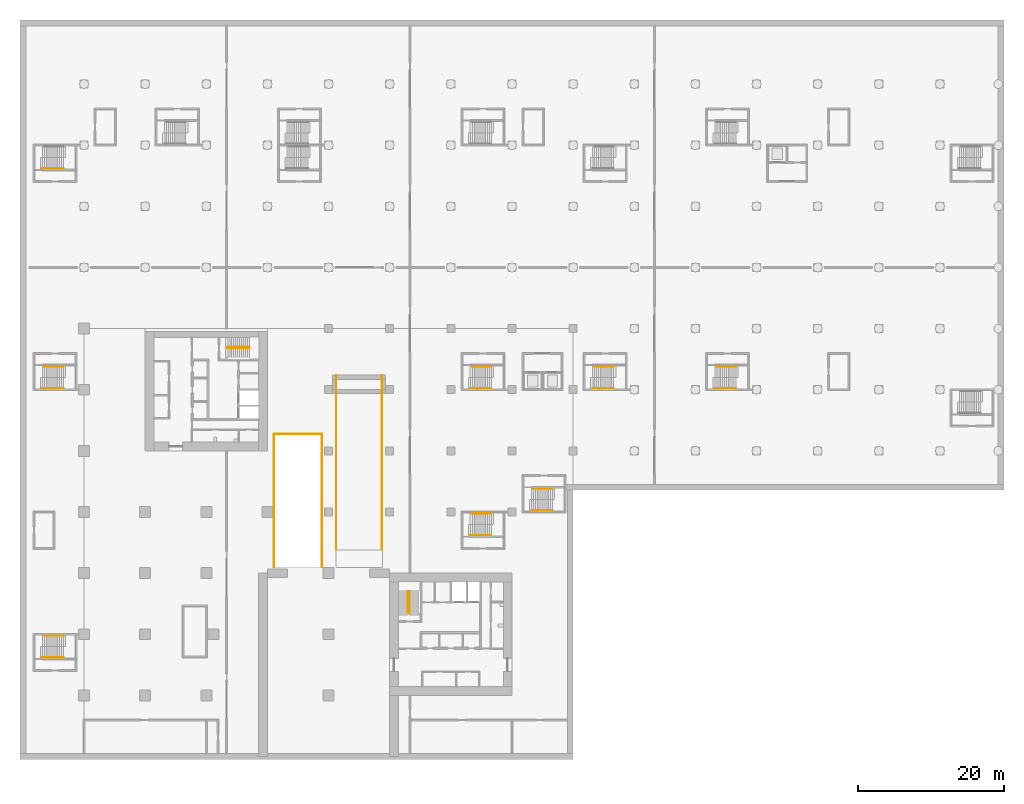
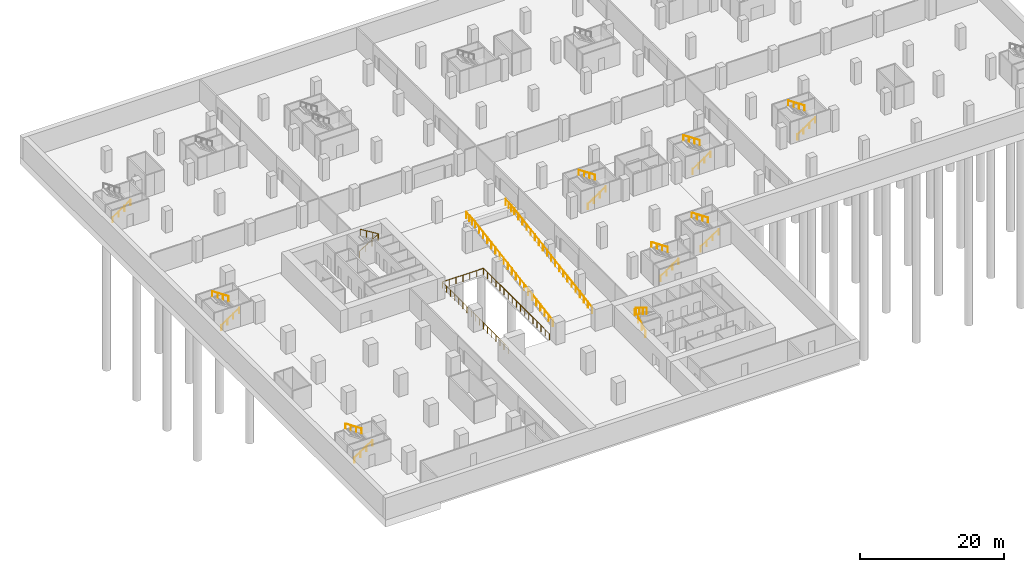
# One storey, part 16 of 19: 22 railings.
"""IFC4 building model written with IfcOpenShell, lengths in metres."""

import ifcopenshell
import ifcopenshell.guid

model = None  # the IFC model being written
_history = None  # IfcOwnerHistory: only IFC2X3 demands one
_inside = {}  # id of a spatial element -> (the spatial element, [elements in it])
_under = {}  # id of a project, library or spatial element -> (it, [spatial elements below it])
_declared = {}  # id of a project -> (the project, [libraries it declares])
_typed = {}  # id of a type object -> (the type object, [elements of that type])
_made_of = {}  # id of a material, layer set ... -> (it, [elements and type objects made of it])


def new_model(schema):
    """Start an empty IFC model of exactly this schema.

    Asked for "IFC4X3", IfcOpenShell would pick the latest addendum, in which some entities
    have other attributes; the version numbers below select the first issue.
    IFC2X3 requires an IfcOwnerHistory on every rooted entity: one is made here for all.
    """
    global model, _history
    if schema == "IFC4X3":
        model = ifcopenshell.file(schema_version=(4, 3, 0, 0))
    else:
        model = ifcopenshell.file(schema=schema)
    _inside.clear()
    _under.clear()
    _declared.clear()
    _typed.clear()
    _made_of.clear()
    _history = None
    if model.schema == "IFC2X3":
        org = make("IfcOrganization", Name="unknown")
        user = make(
            "IfcPersonAndOrganization",
            ThePerson=make("IfcPerson", FamilyName="unknown"),
            TheOrganization=org,
        )
        app = make(
            "IfcApplication",
            ApplicationDeveloper=org,
            Version="unknown",
            ApplicationFullName="unknown",
            ApplicationIdentifier="unknown",
        )
        _history = make(
            "IfcOwnerHistory",
            OwningUser=user,
            OwningApplication=app,
            ChangeAction="ADDED",
            CreationDate=0,
        )
    return model


def make(cls, **values):
    """One entity of the class cls with the attributes given. An attribute that is None is left unset."""
    return model.create_entity(
        cls, **{name: value for name, value in values.items() if value is not None}
    )


def rooted(cls, **values):
    """An entity with a GlobalId (a new one), such as an element, a storey or a relation."""
    return make(cls, GlobalId=ifcopenshell.guid.new(), OwnerHistory=_history, **values)


def si_unit(unit_type, name, prefix=None):
    """IfcSIUnit, for example si_unit("LENGTHUNIT", "METRE", prefix="MILLI")."""
    return make("IfcSIUnit", UnitType=unit_type, Prefix=prefix, Name=name)


def assignment(units):
    """IfcUnitAssignment: the units of a project."""
    return None if units is None else make("IfcUnitAssignment", Units=units)


def point(xyz):
    """IfcCartesianPoint."""
    return None if xyz is None else make("IfcCartesianPoint", Coordinates=xyz)


def direction(xyz):
    """IfcDirection."""
    return None if xyz is None else make("IfcDirection", DirectionRatios=xyz)


def frame(location, z_axis=None, x_axis=None):
    """IfcAxis2Placement3D, a coordinate frame: its origin and axes. An axis left out is left unset."""
    return make(
        "IfcAxis2Placement3D",
        Location=point(location),
        Axis=direction(z_axis),
        RefDirection=direction(x_axis),
    )


def frame_2d(location, x_axis=None):
    """IfcAxis2Placement2D, a coordinate frame in the plane: its origin and x axis."""
    return make(
        "IfcAxis2Placement2D", Location=point(location), RefDirection=direction(x_axis)
    )


def origin():
    """The frame at (0, 0, 0) with its axes left unset."""
    return frame((0.0, 0.0, 0.0))


def origin_2d():
    """The frame at (0, 0) in the plane with its x axis left unset."""
    return frame_2d((0.0, 0.0))


def place(relative_to, where):
    """IfcLocalPlacement: puts the frame where relative to a parent placement (None: the world)."""
    return make(
        "IfcLocalPlacement", PlacementRelTo=relative_to, RelativePlacement=where
    )


def context(
    kind, dimensions, precision=None, world=None, true_north=None, identifier=None
):
    """IfcGeometricRepresentationContext, for example the 3D "Model" context."""
    return make(
        "IfcGeometricRepresentationContext",
        ContextIdentifier=identifier,
        ContextType=kind,
        CoordinateSpaceDimension=dimensions,
        Precision=precision,
        WorldCoordinateSystem=world,
        TrueNorth=true_north,
    )


def subcontext(parent, identifier, kind, view, scale=None):
    """IfcGeometricRepresentationSubContext, for example "Body" below "Model"."""
    return make(
        "IfcGeometricRepresentationSubContext",
        ContextIdentifier=identifier,
        ContextType=kind,
        ParentContext=parent,
        TargetScale=scale,
        TargetView=view,
    )


def project(units=None, contexts=None):
    """IfcProject with its units and contexts."""
    return rooted(
        "IfcProject",
        Name="project",
        RepresentationContexts=contexts,
        UnitsInContext=assignment(units),
    )


def spatial(cls, under=None, at=None, **own):
    """A site, building, storey or space (cls), placed at a placement, below another one or the project."""
    s = rooted(cls, ObjectPlacement=at, **own)
    if under is not None:
        _under.setdefault(under.id(), (under, []))[1].append(s)
    return s


def profile(cls, at=None, kind="AREA", **sizes):
    """A parametric profile (cls). Its sizes go by their IFC names, for example OverallWidth=200.0."""
    return make(cls, ProfileType=kind, Position=at, **sizes)


def circle(**sizes):
    """IfcCircleProfileDef."""
    return profile("IfcCircleProfileDef", **sizes)


def extrude(swept, where, along, depth):
    """IfcExtrudedAreaSolid: the profile swept, set in the frame where, extruded along a direction by depth."""
    return make(
        "IfcExtrudedAreaSolid",
        SweptArea=swept,
        Position=where,
        ExtrudedDirection=direction(along),
        Depth=depth,
    )


def shape(context_of_items, identifier, shape_type, items):
    """IfcShapeRepresentation: the items that make up one representation, for example the "Body"."""
    return make(
        "IfcShapeRepresentation",
        ContextOfItems=context_of_items,
        RepresentationIdentifier=identifier,
        RepresentationType=shape_type,
        Items=items,
    )


def material(Name=None, Category=None):
    """IfcMaterial."""
    return make("IfcMaterial", Name=Name, Category=Category)


def made_of(thing, what):
    """Note that an element or type object is made of a material, layer set ...; save() writes the relation."""
    if what is not None:
        _made_of.setdefault(what.id(), (what, []))[1].append(thing)
    return thing


def type_object(cls, material=None, **own):
    """A type object (cls), such as IfcWallType, which elements share."""
    return made_of(rooted(cls, **own), material)


def element(
    cls,
    number,
    at=None,
    inside=None,
    cuts=None,
    type_object=None,
    material=None,
    context=None,
    identifier="Body",
    shape_type=None,
    held_by="IfcProductDefinitionShape",
    body=None,
    shapes=None,
    **own,
):
    """One element of the class cls, such as IfcWall. Its Tag is "e" and its number.

    at: its placement. inside: the storey or other place that contains it. cuts: it is an
    opening in that element (IfcRelVoidsElement). A single representation is given by context,
    identifier, shape_type and body (its items); several are given by shapes. held_by: the class
    of the entity that holds the representations. save() writes the other relations.
    """
    e = rooted(cls, Tag="e%d" % number, ObjectPlacement=at, **own)
    if body is not None:
        shapes = [shape(context, identifier, shape_type, body)]
    if shapes is not None:
        e.Representation = make(held_by, Representations=shapes)
    if inside is not None:
        _inside.setdefault(inside.id(), (inside, []))[1].append(e)
    if cuts is not None:
        rooted(
            "IfcRelVoidsElement", RelatingBuildingElement=cuts, RelatedOpeningElement=e
        )
    if type_object is not None:
        _typed.setdefault(type_object.id(), (type_object, []))[1].append(e)
    return made_of(e, material)


def aggregate(whole, parts):
    """IfcRelAggregates: a whole, such as a stair, and the parts it consists of."""
    return rooted("IfcRelAggregates", RelatingObject=whole, RelatedObjects=parts)


def save(model, path):
    """Write the relations noted so far, then the file.

    IfcRelAggregates (storeys below a building ...), IfcRelContainedInSpatialStructure (elements
    in a storey), IfcRelDefinesByType, IfcRelAssociatesMaterial and IfcRelDeclares: one each for
    every whole, place, type object, material and project.
    """
    for whole, parts in _under.values():
        aggregate(whole, parts)
    for where, things in _inside.values():
        rooted(
            "IfcRelContainedInSpatialStructure",
            RelatedElements=things,
            RelatingStructure=where,
        )
    for kind, things in _typed.values():
        rooted("IfcRelDefinesByType", RelatedObjects=things, RelatingType=kind)
    for what, things in _made_of.values():
        rooted("IfcRelAssociatesMaterial", RelatedObjects=things, RelatingMaterial=what)
    for by, libraries in _declared.values():
        rooted("IfcRelDeclares", RelatingContext=by, RelatedDefinitions=libraries)
    model.write(path)


model = new_model("IFC4")

# Units and contexts
model_context = context("Model", 3, precision=1e-05, world=origin(), true_north=direction((0.0, 1.0)))
body_context = subcontext(model_context, "Body", "Model", "MODEL_VIEW")
ifc_project = project(units=[si_unit("LENGTHUNIT", "METRE"), si_unit("AREAUNIT", "SQUARE_METRE"), si_unit("VOLUMEUNIT", "CUBIC_METRE"), si_unit("PLANEANGLEUNIT", "RADIAN"), si_unit("MASSUNIT", "GRAM", prefix="KILO")], contexts=[model_context])

# Site, building, storey
site_placement = place(None, origin())
site = spatial("IfcSite", under=ifc_project, at=site_placement, CompositionType="ELEMENT")
building_placement = place(site_placement, origin())
building = spatial("IfcBuilding", under=site, at=building_placement, Name="Vermilion Gate Residences", CompositionType="ELEMENT")
storey_placement = place(building_placement, frame((0.0, 0.0, -8.0)))
storey = spatial("IfcBuildingStorey", under=building, at=storey_placement, Name="B2", CompositionType="ELEMENT", Elevation=-8.0)

# Railings
ifc_material_1 = material(Name="Steel", Category="steel")
railing_type_1 = type_object("IfcRailingType", Name="RAMP GUARD 1100 (AMENITY)", PredefinedType="GUARDRAIL", material=ifc_material_1)
for number, where, name in (
    (1, (34.64990234375, 52.39990234375, 4.0), "Ramp 2 guard west"),
    (2, (40.949951171875, 52.39990234375, 4.0), "Ramp 2 guard east"),
):
    element("IfcRailing", number, at=place(storey_placement, frame(where)), inside=storey, type_object=railing_type_1, Name=name, PredefinedType="GUARDRAIL", context=body_context, shape_type="SweptSolid", body=[
        extrude(circle(Radius=0.02392578125, at=origin_2d()), frame((0.0, 0.0, 1.076171875), z_axis=(0.0, -0.996547156423, -0.083028700011), x_axis=(1.0, 0.0, 0.0)), (0.0, 0.0, 1.0), 2.408203125),
        extrude(circle(Radius=0.02099609375, at=origin_2d()), origin(), (0.0, 0.0, 1.0), 1.052001953125),
        extrude(circle(Radius=0.02099609375, at=origin_2d()), frame((0.0, -0.800048828125, -0.066650390625)), (0.0, 0.0, 1.0), 1.052001953125),
        extrude(circle(Radius=0.02099609375, at=origin_2d()), frame((0.0, -1.599853515625, -0.13330078125)), (0.0, 0.0, 1.0), 1.052001953125),
        extrude(circle(Radius=0.02099609375, at=origin_2d()), frame((0.0, -2.39990234375, -0.199951171875)), (0.0, 0.0, 1.0), 1.052001953125),
    ])
railing_1_placement = place(storey_placement, frame((34.64990234375, 50.0, 3.800048828125)))
element("IfcRailing", 3, at=railing_1_placement, inside=storey, type_object=railing_type_1, Name="Ramp 2 guard west", PredefinedType="GUARDRAIL", context=body_context, shape_type="SweptSolid", body=[
    extrude(circle(Radius=0.02392578125, at=origin_2d()), frame((0.0, 0.0, 1.076171875), z_axis=(0.0, -0.986393321179, -0.164402603184), x_axis=(1.0, 0.0, 0.0)), (0.0, 0.0, 1.0), 21.89794921875),
    extrude(circle(Radius=0.02099609375, at=origin_2d()), origin(), (0.0, 0.0, 1.0), 1.052001953125),
    extrude(circle(Radius=0.02099609375, at=origin_2d()), frame((0.0, -1.136962890625, -0.189453125)), (0.0, 0.0, 1.0), 1.052001953125),
    extrude(circle(Radius=0.02099609375, at=origin_2d()), frame((0.0, -2.273681640625, -0.37890625)), (0.0, 0.0, 1.0), 1.052001953125),
    extrude(circle(Radius=0.02099609375, at=origin_2d()), frame((0.0, -3.41064453125, -0.568359375)), (0.0, 0.0, 1.0), 1.052001953125),
    extrude(circle(Radius=0.02099609375, at=origin_2d()), frame((0.0, -4.54736328125, -0.7578125)), (0.0, 0.0, 1.0), 1.052001953125),
    extrude(circle(Radius=0.02099609375, at=origin_2d()), frame((0.0, -5.684326171875, -0.947509765625)), (0.0, 0.0, 1.0), 1.052001953125),
    extrude(circle(Radius=0.02099609375, at=origin_2d()), frame((0.0, -6.821044921875, -1.136962890625)), (0.0, 0.0, 1.0), 1.052001953125),
    extrude(circle(Radius=0.02099609375, at=origin_2d()), frame((0.0, -7.9580078125, -1.326416015625)), (0.0, 0.0, 1.0), 1.052001953125),
    extrude(circle(Radius=0.02099609375, at=origin_2d()), frame((0.0, -9.0947265625, -1.515869140625)), (0.0, 0.0, 1.0), 1.052001953125),
    extrude(circle(Radius=0.02099609375, at=origin_2d()), frame((0.0, -10.231689453125, -1.705322265625)), (0.0, 0.0, 1.0), 1.052001953125),
    extrude(circle(Radius=0.02099609375, at=origin_2d()), frame((0.0, -11.368408203125, -1.894775390625)), (0.0, 0.0, 1.0), 1.052001953125),
    extrude(circle(Radius=0.02099609375, at=origin_2d()), frame((0.0, -12.50537109375, -2.084228515625)), (0.0, 0.0, 1.0), 1.052001953125),
    extrude(circle(Radius=0.02099609375, at=origin_2d()), frame((0.0, -13.64208984375, -2.273681640625)), (0.0, 0.0, 1.0), 1.052001953125),
    extrude(circle(Radius=0.02099609375, at=origin_2d()), frame((0.0, -14.779052734375, -2.463134765625)), (0.0, 0.0, 1.0), 1.052001953125),
    extrude(circle(Radius=0.02099609375, at=origin_2d()), frame((0.0, -15.915771484375, -2.652587890625)), (0.0, 0.0, 1.0), 1.052001953125),
    extrude(circle(Radius=0.02099609375, at=origin_2d()), frame((0.0, -17.052734375, -2.84228515625)), (0.0, 0.0, 1.0), 1.052001953125),
    extrude(circle(Radius=0.02099609375, at=origin_2d()), frame((0.0, -18.189453125, -3.03173828125)), (0.0, 0.0, 1.0), 1.052001953125),
    extrude(circle(Radius=0.02099609375, at=origin_2d()), frame((0.0, -19.326416015625, -3.22119140625)), (0.0, 0.0, 1.0), 1.052001953125),
    extrude(circle(Radius=0.02099609375, at=origin_2d()), frame((0.0, -20.463134765625, -3.41064453125)), (0.0, 0.0, 1.0), 1.052001953125),
    extrude(circle(Radius=0.02099609375, at=origin_2d()), frame((0.0, -21.60009765625, -3.60009765625)), (0.0, 0.0, 1.0), 1.052001953125),
])
railing_2_placement = place(storey_placement, frame((40.949951171875, 50.0, 3.800048828125)))
element("IfcRailing", 4, at=railing_2_placement, inside=storey, type_object=railing_type_1, Name="Ramp 2 guard east", PredefinedType="GUARDRAIL", context=body_context, shape_type="SweptSolid", body=[
    extrude(circle(Radius=0.02392578125, at=origin_2d()), frame((0.0, 0.0, 1.076171875), z_axis=(0.0, -0.986393321179, -0.164402603184), x_axis=(1.0, 0.0, 0.0)), (0.0, 0.0, 1.0), 21.89794921875),
    extrude(circle(Radius=0.02099609375, at=origin_2d()), origin(), (0.0, 0.0, 1.0), 1.052001953125),
    extrude(circle(Radius=0.02099609375, at=origin_2d()), frame((0.0, -1.136962890625, -0.189453125)), (0.0, 0.0, 1.0), 1.052001953125),
    extrude(circle(Radius=0.02099609375, at=origin_2d()), frame((0.0, -2.273681640625, -0.37890625)), (0.0, 0.0, 1.0), 1.052001953125),
    extrude(circle(Radius=0.02099609375, at=origin_2d()), frame((0.0, -3.41064453125, -0.568359375)), (0.0, 0.0, 1.0), 1.052001953125),
    extrude(circle(Radius=0.02099609375, at=origin_2d()), frame((0.0, -4.54736328125, -0.7578125)), (0.0, 0.0, 1.0), 1.052001953125),
    extrude(circle(Radius=0.02099609375, at=origin_2d()), frame((0.0, -5.684326171875, -0.947509765625)), (0.0, 0.0, 1.0), 1.052001953125),
    extrude(circle(Radius=0.02099609375, at=origin_2d()), frame((0.0, -6.821044921875, -1.136962890625)), (0.0, 0.0, 1.0), 1.052001953125),
    extrude(circle(Radius=0.02099609375, at=origin_2d()), frame((0.0, -7.9580078125, -1.326416015625)), (0.0, 0.0, 1.0), 1.052001953125),
    extrude(circle(Radius=0.02099609375, at=origin_2d()), frame((0.0, -9.0947265625, -1.515869140625)), (0.0, 0.0, 1.0), 1.052001953125),
    extrude(circle(Radius=0.02099609375, at=origin_2d()), frame((0.0, -10.231689453125, -1.705322265625)), (0.0, 0.0, 1.0), 1.052001953125),
    extrude(circle(Radius=0.02099609375, at=origin_2d()), frame((0.0, -11.368408203125, -1.894775390625)), (0.0, 0.0, 1.0), 1.052001953125),
    extrude(circle(Radius=0.02099609375, at=origin_2d()), frame((0.0, -12.50537109375, -2.084228515625)), (0.0, 0.0, 1.0), 1.052001953125),
    extrude(circle(Radius=0.02099609375, at=origin_2d()), frame((0.0, -13.64208984375, -2.273681640625)), (0.0, 0.0, 1.0), 1.052001953125),
    extrude(circle(Radius=0.02099609375, at=origin_2d()), frame((0.0, -14.779052734375, -2.463134765625)), (0.0, 0.0, 1.0), 1.052001953125),
    extrude(circle(Radius=0.02099609375, at=origin_2d()), frame((0.0, -15.915771484375, -2.652587890625)), (0.0, 0.0, 1.0), 1.052001953125),
    extrude(circle(Radius=0.02099609375, at=origin_2d()), frame((0.0, -17.052734375, -2.84228515625)), (0.0, 0.0, 1.0), 1.052001953125),
    extrude(circle(Radius=0.02099609375, at=origin_2d()), frame((0.0, -18.189453125, -3.03173828125)), (0.0, 0.0, 1.0), 1.052001953125),
    extrude(circle(Radius=0.02099609375, at=origin_2d()), frame((0.0, -19.326416015625, -3.22119140625)), (0.0, 0.0, 1.0), 1.052001953125),
    extrude(circle(Radius=0.02099609375, at=origin_2d()), frame((0.0, -20.463134765625, -3.41064453125)), (0.0, 0.0, 1.0), 1.052001953125),
    extrude(circle(Radius=0.02099609375, at=origin_2d()), frame((0.0, -21.60009765625, -3.60009765625)), (0.0, 0.0, 1.0), 1.052001953125),
])
railing_3_placement = place(storey_placement, frame((26.10009765625, 26.0, 0.0)))
element("IfcRailing", 5, at=railing_3_placement, inside=storey, type_object=railing_type_1, Name="Ramp 3 opening guard", PredefinedType="GUARDRAIL", context=body_context, shape_type="SweptSolid", body=[
    extrude(circle(Radius=0.02392578125, at=origin_2d()), frame((0.0, 0.0, 1.076171875), z_axis=(0.0, 1.0, 0.0), x_axis=(-1.0, 0.0, 0.0)), (0.0, 0.0, 1.0), 18.300048828125),
    extrude(circle(Radius=0.02392578125, at=origin_2d()), frame((0.0, 18.300048828125, 1.076171875), z_axis=(1.0, 0.0, 0.0), x_axis=(0.0, 1.0, 0.0)), (0.0, 0.0, 1.0), 6.599853515625),
    extrude(circle(Radius=0.02392578125, at=origin_2d()), frame((6.599853515625, 18.300048828125, 1.076171875), z_axis=(0.0, -1.0, 0.0), x_axis=(1.0, 0.0, 0.0)), (0.0, 0.0, 1.0), 18.300048828125),
    extrude(circle(Radius=0.02099609375, at=origin_2d()), origin(), (0.0, 0.0, 1.0), 1.052001953125),
    extrude(circle(Radius=0.02099609375, at=origin_2d()), frame((0.0, 1.143798828125, 0.0)), (0.0, 0.0, 1.0), 1.052001953125),
    extrude(circle(Radius=0.02099609375, at=origin_2d()), frame((0.0, 2.28759765625, 0.0)), (0.0, 0.0, 1.0), 1.052001953125),
    extrude(circle(Radius=0.02099609375, at=origin_2d()), frame((0.0, 3.43115234375, 0.0)), (0.0, 0.0, 1.0), 1.052001953125),
    extrude(circle(Radius=0.02099609375, at=origin_2d()), frame((0.0, 4.574951171875, 0.0)), (0.0, 0.0, 1.0), 1.052001953125),
    extrude(circle(Radius=0.02099609375, at=origin_2d()), frame((0.0, 5.71875, 0.0)), (0.0, 0.0, 1.0), 1.052001953125),
    extrude(circle(Radius=0.02099609375, at=origin_2d()), frame((0.0, 6.862548828125, 0.0)), (0.0, 0.0, 1.0), 1.052001953125),
    extrude(circle(Radius=0.02099609375, at=origin_2d()), frame((0.0, 8.00634765625, 0.0)), (0.0, 0.0, 1.0), 1.052001953125),
    extrude(circle(Radius=0.02099609375, at=origin_2d()), frame((0.0, 9.14990234375, 0.0)), (0.0, 0.0, 1.0), 1.052001953125),
    extrude(circle(Radius=0.02099609375, at=origin_2d()), frame((0.0, 10.293701171875, 0.0)), (0.0, 0.0, 1.0), 1.052001953125),
    extrude(circle(Radius=0.02099609375, at=origin_2d()), frame((0.0, 11.4375, 0.0)), (0.0, 0.0, 1.0), 1.052001953125),
    extrude(circle(Radius=0.02099609375, at=origin_2d()), frame((0.0, 12.581298828125, 0.0)), (0.0, 0.0, 1.0), 1.052001953125),
    extrude(circle(Radius=0.02099609375, at=origin_2d()), frame((0.0, 13.72509765625, 0.0)), (0.0, 0.0, 1.0), 1.052001953125),
    extrude(circle(Radius=0.02099609375, at=origin_2d()), frame((0.0, 14.868896484375, 0.0)), (0.0, 0.0, 1.0), 1.052001953125),
    extrude(circle(Radius=0.02099609375, at=origin_2d()), frame((0.0, 16.012451171875, 0.0)), (0.0, 0.0, 1.0), 1.052001953125),
    extrude(circle(Radius=0.02099609375, at=origin_2d()), frame((0.0, 17.15625, 0.0)), (0.0, 0.0, 1.0), 1.052001953125),
    extrude(circle(Radius=0.02099609375, at=origin_2d()), frame((0.0, 18.300048828125, 0.0)), (0.0, 0.0, 1.0), 1.052001953125),
    extrude(circle(Radius=0.02099609375, at=origin_2d()), frame((1.10009765625, 18.300048828125, 0.0)), (0.0, 0.0, 1.0), 1.052001953125),
    extrude(circle(Radius=0.02099609375, at=origin_2d()), frame((2.199951171875, 18.300048828125, 0.0)), (0.0, 0.0, 1.0), 1.052001953125),
    extrude(circle(Radius=0.02099609375, at=origin_2d()), frame((3.2998046875, 18.300048828125, 0.0)), (0.0, 0.0, 1.0), 1.052001953125),
    extrude(circle(Radius=0.02099609375, at=origin_2d()), frame((4.39990234375, 18.300048828125, 0.0)), (0.0, 0.0, 1.0), 1.052001953125),
    extrude(circle(Radius=0.02099609375, at=origin_2d()), frame((5.5, 18.300048828125, 0.0)), (0.0, 0.0, 1.0), 1.052001953125),
    extrude(circle(Radius=0.02099609375, at=origin_2d()), frame((6.599853515625, 18.300048828125, 0.0)), (0.0, 0.0, 1.0), 1.052001953125),
    extrude(circle(Radius=0.02099609375, at=origin_2d()), frame((6.599853515625, 17.15625, 0.0)), (0.0, 0.0, 1.0), 1.052001953125),
    extrude(circle(Radius=0.02099609375, at=origin_2d()), frame((6.599853515625, 16.012451171875, 0.0)), (0.0, 0.0, 1.0), 1.052001953125),
    extrude(circle(Radius=0.02099609375, at=origin_2d()), frame((6.599853515625, 14.868896484375, 0.0)), (0.0, 0.0, 1.0), 1.052001953125),
    extrude(circle(Radius=0.02099609375, at=origin_2d()), frame((6.599853515625, 13.72509765625, 0.0)), (0.0, 0.0, 1.0), 1.052001953125),
    extrude(circle(Radius=0.02099609375, at=origin_2d()), frame((6.599853515625, 12.581298828125, 0.0)), (0.0, 0.0, 1.0), 1.052001953125),
    extrude(circle(Radius=0.02099609375, at=origin_2d()), frame((6.599853515625, 11.4375, 0.0)), (0.0, 0.0, 1.0), 1.052001953125),
    extrude(circle(Radius=0.02099609375, at=origin_2d()), frame((6.599853515625, 10.293701171875, 0.0)), (0.0, 0.0, 1.0), 1.052001953125),
    extrude(circle(Radius=0.02099609375, at=origin_2d()), frame((6.599853515625, 9.14990234375, 0.0)), (0.0, 0.0, 1.0), 1.052001953125),
    extrude(circle(Radius=0.02099609375, at=origin_2d()), frame((6.599853515625, 8.00634765625, 0.0)), (0.0, 0.0, 1.0), 1.052001953125),
    extrude(circle(Radius=0.02099609375, at=origin_2d()), frame((6.599853515625, 6.862548828125, 0.0)), (0.0, 0.0, 1.0), 1.052001953125),
    extrude(circle(Radius=0.02099609375, at=origin_2d()), frame((6.599853515625, 5.71875, 0.0)), (0.0, 0.0, 1.0), 1.052001953125),
    extrude(circle(Radius=0.02099609375, at=origin_2d()), frame((6.599853515625, 4.574951171875, 0.0)), (0.0, 0.0, 1.0), 1.052001953125),
    extrude(circle(Radius=0.02099609375, at=origin_2d()), frame((6.599853515625, 3.43115234375, 0.0)), (0.0, 0.0, 1.0), 1.052001953125),
    extrude(circle(Radius=0.02099609375, at=origin_2d()), frame((6.599853515625, 2.28759765625, 0.0)), (0.0, 0.0, 1.0), 1.052001953125),
    extrude(circle(Radius=0.02099609375, at=origin_2d()), frame((6.599853515625, 1.143798828125, 0.0)), (0.0, 0.0, 1.0), 1.052001953125),
    extrude(circle(Radius=0.02099609375, at=origin_2d()), frame((6.599853515625, 0.0, 0.0)), (0.0, 0.0, 1.0), 1.052001953125),
])
ifc_material_2 = material(Name="Steel S355", Category="steel")
railing_type_2 = type_object("IfcRailingType", Name="STAIR GUARD 1100 STEEL", PredefinedType="GUARDRAIL", material=ifc_material_2)
railing_4_placement = place(storey_placement, frame((44.5, 19.75, 0.166748046875)))
element("IfcRailing", 6, at=railing_4_placement, inside=storey, type_object=railing_type_2, Name="Stair well guard STA1-B2", PredefinedType="GUARDRAIL", context=body_context, shape_type="SweptSolid", body=[
    extrude(circle(Radius=0.02392578125, at=origin_2d()), frame((0.0, 0.0, 1.076171875), z_axis=(0.0, 0.85094421596, 0.525256072145), x_axis=(-1.0, 0.0, 0.0)), (0.0, 0.0, 1.0), 3.490234375),
    extrude(circle(Radius=0.02392578125, at=origin_2d()), frame((0.0, 2.969970703125, 2.9091796875), z_axis=(0.767990643491, 0.0, 0.640461061666), x_axis=(0.0, 1.0, 0.0)), (0.0, 0.0, 1.0), 0.26025390625),
    extrude(circle(Radius=0.02392578125, at=origin_2d()), frame((0.199951171875, 2.969970703125, 3.076171875), z_axis=(0.0, -0.85094421596, 0.525256072145), x_axis=(1.0, 0.0, 0.0)), (0.0, 0.0, 1.0), 3.490234375),
    extrude(circle(Radius=0.02099609375, at=origin_2d()), origin(), (0.0, 0.0, 1.0), 1.052001953125),
    extrude(circle(Radius=0.02099609375, at=origin_2d()), frame((0.0, 0.989990234375, 0.611083984375)), (0.0, 0.0, 1.0), 1.052001953125),
    extrude(circle(Radius=0.02099609375, at=origin_2d()), frame((0.0, 1.97998046875, 1.22216796875)), (0.0, 0.0, 1.0), 1.052001953125),
    extrude(circle(Radius=0.02099609375, at=origin_2d()), frame((0.0, 2.969970703125, 1.833251953125)), (0.0, 0.0, 1.0), 1.052001953125),
    extrude(circle(Radius=0.02099609375, at=origin_2d()), frame((0.199951171875, 2.969970703125, 2.0)), (0.0, 0.0, 1.0), 1.052001953125),
    extrude(circle(Radius=0.02099609375, at=origin_2d()), frame((0.199951171875, 1.97998046875, 2.611083984375)), (0.0, 0.0, 1.0), 1.052001953125),
    extrude(circle(Radius=0.02099609375, at=origin_2d()), frame((0.199951171875, 0.989990234375, 3.22216796875)), (0.0, 0.0, 1.0), 1.052001953125),
    extrude(circle(Radius=0.02099609375, at=origin_2d()), frame((0.199951171875, 0.0, 3.833251953125)), (0.0, 0.0, 1.0), 1.052001953125),
])
railing_5_placement = place(storey_placement, frame((19.75, 56.300048828125, 0.166748046875)))
element("IfcRailing", 7, at=railing_5_placement, inside=storey, type_object=railing_type_2, Name="Stair well guard STB1-B2", PredefinedType="GUARDRAIL", context=body_context, shape_type="SweptSolid", body=[
    extrude(circle(Radius=0.02392578125, at=origin_2d()), frame((0.0, 0.0, 1.076171875), z_axis=(0.85094421596, 0.0, 0.525256072145), x_axis=(0.0, 1.0, 0.0)), (0.0, 0.0, 1.0), 3.490234375),
    extrude(circle(Radius=0.02392578125, at=origin_2d()), frame((2.969970703125, 0.0, 2.9091796875), z_axis=(0.0, -0.767990643491, 0.640461061666), x_axis=(1.0, 0.0, 0.0)), (0.0, 0.0, 1.0), 0.26025390625),
    extrude(circle(Radius=0.02392578125, at=origin_2d()), frame((2.969970703125, -0.199951171875, 3.076171875), z_axis=(-0.85094421596, 0.0, 0.525256072145), x_axis=(0.0, -1.0, 0.0)), (0.0, 0.0, 1.0), 3.490234375),
    extrude(circle(Radius=0.02099609375, at=origin_2d()), origin(), (0.0, 0.0, 1.0), 1.052001953125),
    extrude(circle(Radius=0.02099609375, at=origin_2d()), frame((0.989990234375, 0.0, 0.611083984375)), (0.0, 0.0, 1.0), 1.052001953125),
    extrude(circle(Radius=0.02099609375, at=origin_2d()), frame((1.97998046875, 0.0, 1.22216796875)), (0.0, 0.0, 1.0), 1.052001953125),
    extrude(circle(Radius=0.02099609375, at=origin_2d()), frame((2.969970703125, 0.0, 1.833251953125)), (0.0, 0.0, 1.0), 1.052001953125),
    extrude(circle(Radius=0.02099609375, at=origin_2d()), frame((2.969970703125, -0.199951171875, 2.0)), (0.0, 0.0, 1.0), 1.052001953125),
    extrude(circle(Radius=0.02099609375, at=origin_2d()), frame((1.97998046875, -0.199951171875, 2.611083984375)), (0.0, 0.0, 1.0), 1.052001953125),
    extrude(circle(Radius=0.02099609375, at=origin_2d()), frame((0.989990234375, -0.199951171875, 3.22216796875)), (0.0, 0.0, 1.0), 1.052001953125),
    extrude(circle(Radius=0.02099609375, at=origin_2d()), frame((0.0, -0.199951171875, 3.833251953125)), (0.0, 0.0, 1.0), 1.052001953125),
])
ifc_material_3 = material(Name="Steel", Category="steel")
railing_type_3 = type_object("IfcRailingType", Name="STAIR HANDRAIL 900 (AMENITY)", PredefinedType="HANDRAIL", material=ifc_material_3)
railing_6_placement = place(storey_placement, frame((-5.699951171875, 13.60009765625, 0.173828125)))
element("IfcRailing", 8, at=railing_6_placement, inside=storey, type_object=railing_type_3, Name="Stair handrail", PredefinedType="HANDRAIL", context=body_context, shape_type="SweptSolid", body=[
    extrude(circle(Radius=0.02392578125, at=origin_2d()), frame((0.0, 0.0, 0.8759765625), z_axis=(0.831175961304, 0.0, 0.556009461565), x_axis=(0.0, 1.0, 0.0)), (0.0, 0.0, 1.0), 3.440673828125),
    extrude(circle(Radius=0.02099609375, at=origin_2d()), origin(), (0.0, 0.0, 1.0), 0.851806640625),
    extrude(circle(Radius=0.02099609375, at=origin_2d()), frame((0.953369140625, 0.0, 0.6376953125)), (0.0, 0.0, 1.0), 0.851806640625),
    extrude(circle(Radius=0.02099609375, at=origin_2d()), frame((1.906494140625, 0.0, 1.275390625)), (0.0, 0.0, 1.0), 0.851806640625),
    extrude(circle(Radius=0.02099609375, at=origin_2d()), frame((2.85986328125, 0.0, 1.9130859375)), (0.0, 0.0, 1.0), 0.851806640625),
])
railing_7_placement = place(storey_placement, frame((-2.840087890625, 16.60009765625, 2.260986328125)))
element("IfcRailing", 9, at=railing_7_placement, inside=storey, type_object=railing_type_3, Name="Stair handrail", PredefinedType="HANDRAIL", context=body_context, shape_type="SweptSolid", body=[
    extrude(circle(Radius=0.02392578125, at=origin_2d()), frame((0.0, 0.0, 0.8759765625), z_axis=(-0.831196721983, 0.0, 0.555978425269), x_axis=(0.0, -1.0, 0.0)), (0.0, 0.0, 1.0), 3.1279296875),
    extrude(circle(Radius=0.02099609375, at=origin_2d()), origin(), (0.0, 0.0, 1.0), 0.851806640625),
    extrude(circle(Radius=0.02099609375, at=origin_2d()), frame((-0.86669921875, 0.0, 0.57958984375)), (0.0, 0.0, 1.0), 0.851806640625),
    extrude(circle(Radius=0.02099609375, at=origin_2d()), frame((-1.733154296875, 0.0, 1.159423828125)), (0.0, 0.0, 1.0), 0.851806640625),
    extrude(circle(Radius=0.02099609375, at=origin_2d()), frame((-2.599853515625, 0.0, 1.739013671875)), (0.0, 0.0, 1.0), 0.851806640625),
])
railing_8_placement = place(storey_placement, frame((-5.699951171875, 50.60009765625, 0.173828125)))
element("IfcRailing", 10, at=railing_8_placement, inside=storey, type_object=railing_type_3, Name="Stair handrail", PredefinedType="HANDRAIL", context=body_context, shape_type="SweptSolid", body=[
    extrude(circle(Radius=0.02392578125, at=origin_2d()), frame((0.0, 0.0, 0.8759765625), z_axis=(0.831175961304, 0.0, 0.556009461565), x_axis=(0.0, 1.0, 0.0)), (0.0, 0.0, 1.0), 3.440673828125),
    extrude(circle(Radius=0.02099609375, at=origin_2d()), origin(), (0.0, 0.0, 1.0), 0.851806640625),
    extrude(circle(Radius=0.02099609375, at=origin_2d()), frame((0.953369140625, 0.0, 0.6376953125)), (0.0, 0.0, 1.0), 0.851806640625),
    extrude(circle(Radius=0.02099609375, at=origin_2d()), frame((1.906494140625, 0.0, 1.275390625)), (0.0, 0.0, 1.0), 0.851806640625),
    extrude(circle(Radius=0.02099609375, at=origin_2d()), frame((2.85986328125, 0.0, 1.9130859375)), (0.0, 0.0, 1.0), 0.851806640625),
])
railing_9_placement = place(storey_placement, frame((-2.840087890625, 53.60009765625, 2.260986328125)))
element("IfcRailing", 11, at=railing_9_placement, inside=storey, type_object=railing_type_3, Name="Stair handrail", PredefinedType="HANDRAIL", context=body_context, shape_type="SweptSolid", body=[
    extrude(circle(Radius=0.02392578125, at=origin_2d()), frame((0.0, 0.0, 0.8759765625), z_axis=(-0.831196721983, 0.0, 0.555978425269), x_axis=(0.0, -1.0, 0.0)), (0.0, 0.0, 1.0), 3.1279296875),
    extrude(circle(Radius=0.02099609375, at=origin_2d()), origin(), (0.0, 0.0, 1.0), 0.851806640625),
    extrude(circle(Radius=0.02099609375, at=origin_2d()), frame((-0.86669921875, 0.0, 0.57958984375)), (0.0, 0.0, 1.0), 0.851806640625),
    extrude(circle(Radius=0.02099609375, at=origin_2d()), frame((-1.733154296875, 0.0, 1.159423828125)), (0.0, 0.0, 1.0), 0.851806640625),
    extrude(circle(Radius=0.02099609375, at=origin_2d()), frame((-2.599853515625, 0.0, 1.739013671875)), (0.0, 0.0, 1.0), 0.851806640625),
])
railing_10_placement = place(storey_placement, frame((69.89990234375, 50.60009765625, 0.173828125)))
element("IfcRailing", 12, at=railing_10_placement, inside=storey, type_object=railing_type_3, Name="Stair handrail", PredefinedType="HANDRAIL", context=body_context, shape_type="SweptSolid", body=[
    extrude(circle(Radius=0.02392578125, at=origin_2d()), frame((0.0, 0.0, 0.8759765625), z_axis=(0.831197895095, 0.0, 0.555976671444), x_axis=(0.0, 1.0, 0.0)), (0.0, 0.0, 1.0), 3.44091796875),
    extrude(circle(Radius=0.02099609375, at=origin_2d()), origin(), (0.0, 0.0, 1.0), 0.851806640625),
    extrude(circle(Radius=0.02099609375, at=origin_2d()), frame((0.953369140625, 0.0, 0.6376953125)), (0.0, 0.0, 1.0), 0.851806640625),
    extrude(circle(Radius=0.02099609375, at=origin_2d()), frame((1.90673828125, 0.0, 1.275390625)), (0.0, 0.0, 1.0), 0.851806640625),
    extrude(circle(Radius=0.02099609375, at=origin_2d()), frame((2.860107421875, 0.0, 1.9130859375)), (0.0, 0.0, 1.0), 0.851806640625),
])
railing_11_placement = place(storey_placement, frame((72.760009765625, 53.60009765625, 2.260986328125)))
element("IfcRailing", 13, at=railing_11_placement, inside=storey, type_object=railing_type_3, Name="Stair handrail", PredefinedType="HANDRAIL", context=body_context, shape_type="SweptSolid", body=[
    extrude(circle(Radius=0.02392578125, at=origin_2d()), frame((0.0, 0.0, 0.8759765625), z_axis=(-0.831220847055, 0.0, 0.555942356204), x_axis=(0.0, -1.0, 0.0)), (0.0, 0.0, 1.0), 3.1279296875),
    extrude(circle(Radius=0.02099609375, at=origin_2d()), origin(), (0.0, 0.0, 1.0), 0.851806640625),
    extrude(circle(Radius=0.02099609375, at=origin_2d()), frame((-0.86669921875, 0.0, 0.57958984375)), (0.0, 0.0, 1.0), 0.851806640625),
    extrude(circle(Radius=0.02099609375, at=origin_2d()), frame((-1.7333984375, 0.0, 1.159423828125)), (0.0, 0.0, 1.0), 0.851806640625),
    extrude(circle(Radius=0.02099609375, at=origin_2d()), frame((-2.60009765625, 0.0, 1.739013671875)), (0.0, 0.0, 1.0), 0.851806640625),
])
railing_12_placement = place(storey_placement, frame((53.10009765625, 30.39990234375, 0.173828125)))
element("IfcRailing", 14, at=railing_12_placement, inside=storey, type_object=railing_type_3, Name="Stair handrail", PredefinedType="HANDRAIL", context=body_context, shape_type="SweptSolid", body=[
    extrude(circle(Radius=0.02392578125, at=origin_2d()), frame((0.0, 0.0, 0.8759765625), z_axis=(0.831175961304, 0.0, 0.556009461565), x_axis=(0.0, 1.0, 0.0)), (0.0, 0.0, 1.0), 3.440673828125),
    extrude(circle(Radius=0.02099609375, at=origin_2d()), origin(), (0.0, 0.0, 1.0), 0.851806640625),
    extrude(circle(Radius=0.02099609375, at=origin_2d()), frame((0.953369140625, 0.0, 0.6376953125)), (0.0, 0.0, 1.0), 0.851806640625),
    extrude(circle(Radius=0.02099609375, at=origin_2d()), frame((1.906494140625, 0.0, 1.275390625)), (0.0, 0.0, 1.0), 0.851806640625),
    extrude(circle(Radius=0.02099609375, at=origin_2d()), frame((2.85986328125, 0.0, 1.9130859375)), (0.0, 0.0, 1.0), 0.851806640625),
])
railing_13_placement = place(storey_placement, frame((55.9599609375, 33.39990234375, 2.260986328125)))
element("IfcRailing", 15, at=railing_13_placement, inside=storey, type_object=railing_type_3, Name="Stair handrail", PredefinedType="HANDRAIL", context=body_context, shape_type="SweptSolid", body=[
    extrude(circle(Radius=0.02392578125, at=origin_2d()), frame((0.0, 0.0, 0.8759765625), z_axis=(-0.831196721983, 0.0, 0.555978425269), x_axis=(0.0, -1.0, 0.0)), (0.0, 0.0, 1.0), 3.1279296875),
    extrude(circle(Radius=0.02099609375, at=origin_2d()), origin(), (0.0, 0.0, 1.0), 0.851806640625),
    extrude(circle(Radius=0.02099609375, at=origin_2d()), frame((-0.86669921875, 0.0, 0.57958984375)), (0.0, 0.0, 1.0), 0.851806640625),
    extrude(circle(Radius=0.02099609375, at=origin_2d()), frame((-1.733154296875, 0.0, 1.159423828125)), (0.0, 0.0, 1.0), 0.851806640625),
    extrude(circle(Radius=0.02099609375, at=origin_2d()), frame((-2.599853515625, 0.0, 1.739013671875)), (0.0, 0.0, 1.0), 0.851806640625),
])
railing_14_placement = place(storey_placement, frame((86.699951171875, 50.60009765625, 0.173828125)))
element("IfcRailing", 16, at=railing_14_placement, inside=storey, type_object=railing_type_3, Name="Stair handrail", PredefinedType="HANDRAIL", context=body_context, shape_type="SweptSolid", body=[
    extrude(circle(Radius=0.02392578125, at=origin_2d()), frame((0.0, 0.0, 0.8759765625), z_axis=(0.831197895095, 0.0, 0.555976671444), x_axis=(0.0, 1.0, 0.0)), (0.0, 0.0, 1.0), 3.44091796875),
    extrude(circle(Radius=0.02099609375, at=origin_2d()), origin(), (0.0, 0.0, 1.0), 0.851806640625),
    extrude(circle(Radius=0.02099609375, at=origin_2d()), frame((0.953369140625, 0.0, 0.6376953125)), (0.0, 0.0, 1.0), 0.851806640625),
    extrude(circle(Radius=0.02099609375, at=origin_2d()), frame((1.90673828125, 0.0, 1.275390625)), (0.0, 0.0, 1.0), 0.851806640625),
    extrude(circle(Radius=0.02099609375, at=origin_2d()), frame((2.860107421875, 0.0, 1.9130859375)), (0.0, 0.0, 1.0), 0.851806640625),
])
railing_15_placement = place(storey_placement, frame((89.56005859375, 53.60009765625, 2.260986328125)))
element("IfcRailing", 17, at=railing_15_placement, inside=storey, type_object=railing_type_3, Name="Stair handrail", PredefinedType="HANDRAIL", context=body_context, shape_type="SweptSolid", body=[
    extrude(circle(Radius=0.02392578125, at=origin_2d()), frame((0.0, 0.0, 0.8759765625), z_axis=(-0.831220847055, 0.0, 0.555942356204), x_axis=(0.0, -1.0, 0.0)), (0.0, 0.0, 1.0), 3.1279296875),
    extrude(circle(Radius=0.02099609375, at=origin_2d()), origin(), (0.0, 0.0, 1.0), 0.851806640625),
    extrude(circle(Radius=0.02099609375, at=origin_2d()), frame((-0.86669921875, 0.0, 0.57958984375)), (0.0, 0.0, 1.0), 0.851806640625),
    extrude(circle(Radius=0.02099609375, at=origin_2d()), frame((-1.7333984375, 0.0, 1.159423828125)), (0.0, 0.0, 1.0), 0.851806640625),
    extrude(circle(Radius=0.02099609375, at=origin_2d()), frame((-2.60009765625, 0.0, 1.739013671875)), (0.0, 0.0, 1.0), 0.851806640625),
])
for number, where, name in (
    (18, (-5.699951171875, 80.800048828125, 0.173828125), "Stair handrail"),
    (19, (53.10009765625, 50.60009765625, 0.173828125), "Stair handrail"),
):
    element("IfcRailing", number, at=place(storey_placement, frame(where)), inside=storey, type_object=railing_type_3, Name=name, PredefinedType="HANDRAIL", context=body_context, shape_type="SweptSolid", body=[
        extrude(circle(Radius=0.02392578125, at=origin_2d()), frame((0.0, 0.0, 0.8759765625), z_axis=(0.831175961304, 0.0, 0.556009461565), x_axis=(0.0, 1.0, 0.0)), (0.0, 0.0, 1.0), 3.440673828125),
        extrude(circle(Radius=0.02099609375, at=origin_2d()), origin(), (0.0, 0.0, 1.0), 0.851806640625),
        extrude(circle(Radius=0.02099609375, at=origin_2d()), frame((0.953369140625, 0.0, 0.6376953125)), (0.0, 0.0, 1.0), 0.851806640625),
        extrude(circle(Radius=0.02099609375, at=origin_2d()), frame((1.906494140625, 0.0, 1.275390625)), (0.0, 0.0, 1.0), 0.851806640625),
        extrude(circle(Radius=0.02099609375, at=origin_2d()), frame((2.85986328125, 0.0, 1.9130859375)), (0.0, 0.0, 1.0), 0.851806640625),
    ])
railing_16_placement = place(storey_placement, frame((55.9599609375, 53.60009765625, 2.260986328125)))
element("IfcRailing", 20, at=railing_16_placement, inside=storey, type_object=railing_type_3, Name="Stair handrail", PredefinedType="HANDRAIL", context=body_context, shape_type="SweptSolid", body=[
    extrude(circle(Radius=0.02392578125, at=origin_2d()), frame((0.0, 0.0, 0.8759765625), z_axis=(-0.831196721983, 0.0, 0.555978425269), x_axis=(0.0, -1.0, 0.0)), (0.0, 0.0, 1.0), 3.1279296875),
    extrude(circle(Radius=0.02099609375, at=origin_2d()), origin(), (0.0, 0.0, 1.0), 0.851806640625),
    extrude(circle(Radius=0.02099609375, at=origin_2d()), frame((-0.86669921875, 0.0, 0.57958984375)), (0.0, 0.0, 1.0), 0.851806640625),
    extrude(circle(Radius=0.02099609375, at=origin_2d()), frame((-1.733154296875, 0.0, 1.159423828125)), (0.0, 0.0, 1.0), 0.851806640625),
    extrude(circle(Radius=0.02099609375, at=origin_2d()), frame((-2.599853515625, 0.0, 1.739013671875)), (0.0, 0.0, 1.0), 0.851806640625),
])
railing_17_placement = place(storey_placement, frame((61.5, 33.800048828125, 0.173828125)))
element("IfcRailing", 21, at=railing_17_placement, inside=storey, type_object=railing_type_3, Name="Stair handrail", PredefinedType="HANDRAIL", context=body_context, shape_type="SweptSolid", body=[
    extrude(circle(Radius=0.02392578125, at=origin_2d()), frame((0.0, 0.0, 0.8759765625), z_axis=(0.831197895095, 0.0, 0.555976671444), x_axis=(0.0, 1.0, 0.0)), (0.0, 0.0, 1.0), 3.44091796875),
    extrude(circle(Radius=0.02099609375, at=origin_2d()), origin(), (0.0, 0.0, 1.0), 0.851806640625),
    extrude(circle(Radius=0.02099609375, at=origin_2d()), frame((0.953369140625, 0.0, 0.6376953125)), (0.0, 0.0, 1.0), 0.851806640625),
    extrude(circle(Radius=0.02099609375, at=origin_2d()), frame((1.90673828125, 0.0, 1.275390625)), (0.0, 0.0, 1.0), 0.851806640625),
    extrude(circle(Radius=0.02099609375, at=origin_2d()), frame((2.860107421875, 0.0, 1.9130859375)), (0.0, 0.0, 1.0), 0.851806640625),
])
railing_18_placement = place(storey_placement, frame((64.360107421875, 36.800048828125, 2.260986328125)))
element("IfcRailing", 22, at=railing_18_placement, inside=storey, type_object=railing_type_3, Name="Stair handrail", PredefinedType="HANDRAIL", context=body_context, shape_type="SweptSolid", body=[
    extrude(circle(Radius=0.02392578125, at=origin_2d()), frame((0.0, 0.0, 0.8759765625), z_axis=(-0.831220847055, 0.0, 0.555942356204), x_axis=(0.0, -1.0, 0.0)), (0.0, 0.0, 1.0), 3.1279296875),
    extrude(circle(Radius=0.02099609375, at=origin_2d()), origin(), (0.0, 0.0, 1.0), 0.851806640625),
    extrude(circle(Radius=0.02099609375, at=origin_2d()), frame((-0.86669921875, 0.0, 0.57958984375)), (0.0, 0.0, 1.0), 0.851806640625),
    extrude(circle(Radius=0.02099609375, at=origin_2d()), frame((-1.7333984375, 0.0, 1.159423828125)), (0.0, 0.0, 1.0), 0.851806640625),
    extrude(circle(Radius=0.02099609375, at=origin_2d()), frame((-2.60009765625, 0.0, 1.739013671875)), (0.0, 0.0, 1.0), 0.851806640625),
])

save(model, "model.ifc")
